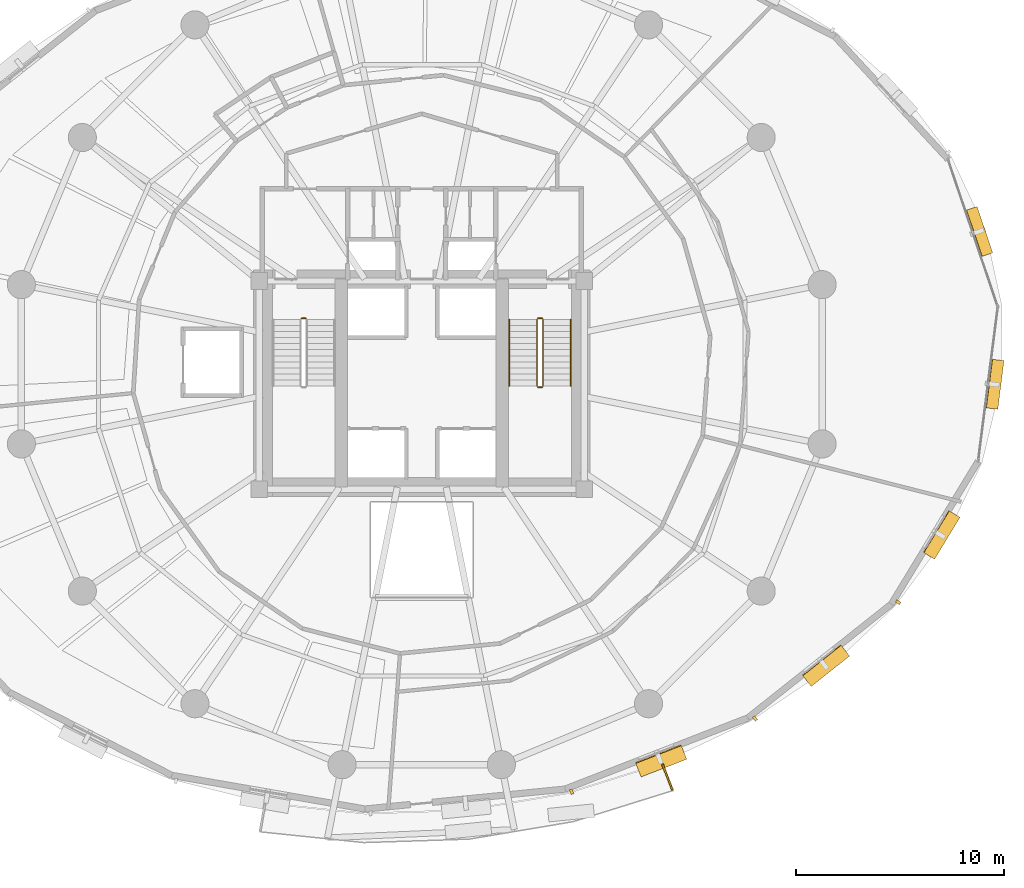
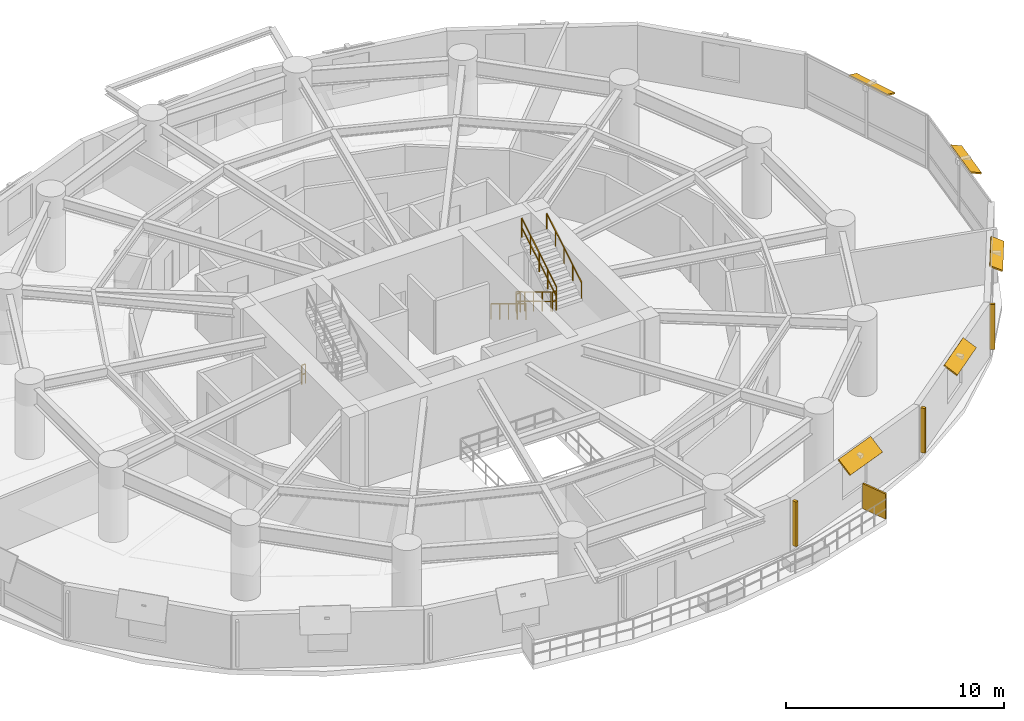
# One storey, part 16 of 17: 9 shading devices, 7 railings.
"""IFC4 building model written with IfcOpenShell, lengths in metres."""

import ifcopenshell
import ifcopenshell.guid

model = None  # the IFC model being written
_history = None  # IfcOwnerHistory: only IFC2X3 demands one
_inside = {}  # id of a spatial element -> (the spatial element, [elements in it])
_under = {}  # id of a project, library or spatial element -> (it, [spatial elements below it])
_declared = {}  # id of a project -> (the project, [libraries it declares])
_typed = {}  # id of a type object -> (the type object, [elements of that type])
_made_of = {}  # id of a material, layer set ... -> (it, [elements and type objects made of it])


def new_model(schema):
    """Start an empty IFC model of exactly this schema.

    Asked for "IFC4X3", IfcOpenShell would pick the latest addendum, in which some entities
    have other attributes; the version numbers below select the first issue.
    IFC2X3 requires an IfcOwnerHistory on every rooted entity: one is made here for all.
    """
    global model, _history
    if schema == "IFC4X3":
        model = ifcopenshell.file(schema_version=(4, 3, 0, 0))
    else:
        model = ifcopenshell.file(schema=schema)
    _inside.clear()
    _under.clear()
    _declared.clear()
    _typed.clear()
    _made_of.clear()
    _history = None
    if model.schema == "IFC2X3":
        org = make("IfcOrganization", Name="unknown")
        user = make(
            "IfcPersonAndOrganization",
            ThePerson=make("IfcPerson", FamilyName="unknown"),
            TheOrganization=org,
        )
        app = make(
            "IfcApplication",
            ApplicationDeveloper=org,
            Version="unknown",
            ApplicationFullName="unknown",
            ApplicationIdentifier="unknown",
        )
        _history = make(
            "IfcOwnerHistory",
            OwningUser=user,
            OwningApplication=app,
            ChangeAction="ADDED",
            CreationDate=0,
        )
    return model


def make(cls, **values):
    """One entity of the class cls with the attributes given. An attribute that is None is left unset."""
    return model.create_entity(
        cls, **{name: value for name, value in values.items() if value is not None}
    )


def rooted(cls, **values):
    """An entity with a GlobalId (a new one), such as an element, a storey or a relation."""
    return make(cls, GlobalId=ifcopenshell.guid.new(), OwnerHistory=_history, **values)


def si_unit(unit_type, name, prefix=None):
    """IfcSIUnit, for example si_unit("LENGTHUNIT", "METRE", prefix="MILLI")."""
    return make("IfcSIUnit", UnitType=unit_type, Prefix=prefix, Name=name)


def assignment(units):
    """IfcUnitAssignment: the units of a project."""
    return None if units is None else make("IfcUnitAssignment", Units=units)


def point(xyz):
    """IfcCartesianPoint."""
    return None if xyz is None else make("IfcCartesianPoint", Coordinates=xyz)


def direction(xyz):
    """IfcDirection."""
    return None if xyz is None else make("IfcDirection", DirectionRatios=xyz)


def frame(location, z_axis=None, x_axis=None):
    """IfcAxis2Placement3D, a coordinate frame: its origin and axes. An axis left out is left unset."""
    return make(
        "IfcAxis2Placement3D",
        Location=point(location),
        Axis=direction(z_axis),
        RefDirection=direction(x_axis),
    )


def frame_2d(location, x_axis=None):
    """IfcAxis2Placement2D, a coordinate frame in the plane: its origin and x axis."""
    return make(
        "IfcAxis2Placement2D", Location=point(location), RefDirection=direction(x_axis)
    )


def origin():
    """The frame at (0, 0, 0) with its axes left unset."""
    return frame((0.0, 0.0, 0.0))


def origin_2d():
    """The frame at (0, 0) in the plane with its x axis left unset."""
    return frame_2d((0.0, 0.0))


def place(relative_to, where):
    """IfcLocalPlacement: puts the frame where relative to a parent placement (None: the world)."""
    return make(
        "IfcLocalPlacement", PlacementRelTo=relative_to, RelativePlacement=where
    )


def context(
    kind, dimensions, precision=None, world=None, true_north=None, identifier=None
):
    """IfcGeometricRepresentationContext, for example the 3D "Model" context."""
    return make(
        "IfcGeometricRepresentationContext",
        ContextIdentifier=identifier,
        ContextType=kind,
        CoordinateSpaceDimension=dimensions,
        Precision=precision,
        WorldCoordinateSystem=world,
        TrueNorth=true_north,
    )


def subcontext(parent, identifier, kind, view, scale=None):
    """IfcGeometricRepresentationSubContext, for example "Body" below "Model"."""
    return make(
        "IfcGeometricRepresentationSubContext",
        ContextIdentifier=identifier,
        ContextType=kind,
        ParentContext=parent,
        TargetScale=scale,
        TargetView=view,
    )


def project(units=None, contexts=None):
    """IfcProject with its units and contexts."""
    return rooted(
        "IfcProject",
        Name="project",
        RepresentationContexts=contexts,
        UnitsInContext=assignment(units),
    )


def spatial(cls, under=None, at=None, **own):
    """A site, building, storey or space (cls), placed at a placement, below another one or the project."""
    s = rooted(cls, ObjectPlacement=at, **own)
    if under is not None:
        _under.setdefault(under.id(), (under, []))[1].append(s)
    return s


def profile(cls, at=None, kind="AREA", **sizes):
    """A parametric profile (cls). Its sizes go by their IFC names, for example OverallWidth=200.0."""
    return make(cls, ProfileType=kind, Position=at, **sizes)


def rectangle(**sizes):
    """IfcRectangleProfileDef."""
    return profile("IfcRectangleProfileDef", **sizes)


def extrude(swept, where, along, depth):
    """IfcExtrudedAreaSolid: the profile swept, set in the frame where, extruded along a direction by depth."""
    return make(
        "IfcExtrudedAreaSolid",
        SweptArea=swept,
        Position=where,
        ExtrudedDirection=direction(along),
        Depth=depth,
    )


def shape(context_of_items, identifier, shape_type, items):
    """IfcShapeRepresentation: the items that make up one representation, for example the "Body"."""
    return make(
        "IfcShapeRepresentation",
        ContextOfItems=context_of_items,
        RepresentationIdentifier=identifier,
        RepresentationType=shape_type,
        Items=items,
    )


def material(Name=None, Category=None):
    """IfcMaterial."""
    return make("IfcMaterial", Name=Name, Category=Category)


def layer(
    of_material, thickness, ventilated=None, Name=None, Category=None, Priority=None
):
    """IfcMaterialLayer: one layer of a wall or slab, of a material (None: an air gap)."""
    return make(
        "IfcMaterialLayer",
        Material=of_material,
        LayerThickness=thickness,
        IsVentilated=ventilated,
        Name=Name,
        Category=Category,
        Priority=Priority,
    )


def layer_set(layers, Name=None):
    """IfcMaterialLayerSet."""
    return make("IfcMaterialLayerSet", MaterialLayers=layers, LayerSetName=Name)


def made_of(thing, what):
    """Note that an element or type object is made of a material, layer set ...; save() writes the relation."""
    if what is not None:
        _made_of.setdefault(what.id(), (what, []))[1].append(thing)
    return thing


def type_object(cls, material=None, **own):
    """A type object (cls), such as IfcWallType, which elements share."""
    return made_of(rooted(cls, **own), material)


def element(
    cls,
    number,
    at=None,
    inside=None,
    cuts=None,
    type_object=None,
    material=None,
    context=None,
    identifier="Body",
    shape_type=None,
    held_by="IfcProductDefinitionShape",
    body=None,
    shapes=None,
    **own,
):
    """One element of the class cls, such as IfcWall. Its Tag is "e" and its number.

    at: its placement. inside: the storey or other place that contains it. cuts: it is an
    opening in that element (IfcRelVoidsElement). A single representation is given by context,
    identifier, shape_type and body (its items); several are given by shapes. held_by: the class
    of the entity that holds the representations. save() writes the other relations.
    """
    e = rooted(cls, Tag="e%d" % number, ObjectPlacement=at, **own)
    if body is not None:
        shapes = [shape(context, identifier, shape_type, body)]
    if shapes is not None:
        e.Representation = make(held_by, Representations=shapes)
    if inside is not None:
        _inside.setdefault(inside.id(), (inside, []))[1].append(e)
    if cuts is not None:
        rooted(
            "IfcRelVoidsElement", RelatingBuildingElement=cuts, RelatedOpeningElement=e
        )
    if type_object is not None:
        _typed.setdefault(type_object.id(), (type_object, []))[1].append(e)
    return made_of(e, material)


def aggregate(whole, parts):
    """IfcRelAggregates: a whole, such as a stair, and the parts it consists of."""
    return rooted("IfcRelAggregates", RelatingObject=whole, RelatedObjects=parts)


def save(model, path):
    """Write the relations noted so far, then the file.

    IfcRelAggregates (storeys below a building ...), IfcRelContainedInSpatialStructure (elements
    in a storey), IfcRelDefinesByType, IfcRelAssociatesMaterial and IfcRelDeclares: one each for
    every whole, place, type object, material and project.
    """
    for whole, parts in _under.values():
        aggregate(whole, parts)
    for where, things in _inside.values():
        rooted(
            "IfcRelContainedInSpatialStructure",
            RelatedElements=things,
            RelatingStructure=where,
        )
    for kind, things in _typed.values():
        rooted("IfcRelDefinesByType", RelatedObjects=things, RelatingType=kind)
    for what, things in _made_of.values():
        rooted("IfcRelAssociatesMaterial", RelatedObjects=things, RelatingMaterial=what)
    for by, libraries in _declared.values():
        rooted("IfcRelDeclares", RelatingContext=by, RelatedDefinitions=libraries)
    model.write(path)


model = new_model("IFC4")

# Units and contexts
model_context = context("Model", 3, precision=1e-05, world=origin(), true_north=direction((0.0, 1.0)))
body_context = subcontext(model_context, "Body", "Model", "MODEL_VIEW")
ifc_project = project(units=[si_unit("LENGTHUNIT", "METRE"), si_unit("AREAUNIT", "SQUARE_METRE"), si_unit("VOLUMEUNIT", "CUBIC_METRE"), si_unit("PLANEANGLEUNIT", "RADIAN"), si_unit("MASSUNIT", "GRAM", prefix="KILO"), si_unit("THERMODYNAMICTEMPERATUREUNIT", "KELVIN"), si_unit("POWERUNIT", "WATT")], contexts=[model_context])

# Site, building, storey
site_placement = place(None, origin())
site = spatial("IfcSite", under=ifc_project, at=site_placement, CompositionType="ELEMENT")
building_placement = place(site_placement, origin())
building = spatial("IfcBuilding", under=site, at=building_placement, Name="Ocrelia Relay Tower", CompositionType="ELEMENT")
storey_placement = place(building_placement, frame((0.0, 0.0, 55.199951171875)))
storey = spatial("IfcBuildingStorey", under=building, at=storey_placement, Name="L12", CompositionType="ELEMENT", Elevation=55.199951171875)

# Railings
ifc_material_1 = material(Name="Steel S355 balustrade", Category="steel")
railing_type_1 = type_object("IfcRailingType", Name="RL-STAIR-GUARD", PredefinedType="GUARDRAIL", material=ifc_material_1)
railing_1_placement = place(storey_placement, frame((28.22998046875, 28.199951171875, 0.0)))
element("IfcRailing", 1, at=railing_1_placement, inside=storey, type_object=railing_type_1, Name="L12 ST1 stair guard 4", PredefinedType="GUARDRAIL", context=body_context, shape_type="SweptSolid", body=[
    extrude(rectangle(XDim=0.048095703125, YDim=0.048095703125, at=origin_2d()), frame((0.0, 0.0, 1.076171875), z_axis=(1.0, 0.0, 0.0), x_axis=(0.0, 1.0, 0.0)), (0.0, 0.0, 1.0), 0.199951171875),
    extrude(rectangle(XDim=0.048095703125, YDim=0.048095703125, at=origin_2d()), frame((0.0, 0.0, 0.550048828125), z_axis=(1.0, 0.0, 0.0), x_axis=(0.0, 1.0, 0.0)), (0.0, 0.0, 1.0), 0.199951171875),
    extrude(rectangle(XDim=0.0419921875, YDim=0.0419921875, at=origin_2d()), origin(), (0.0, 0.0, 1.0), 1.052001953125),
    extrude(rectangle(XDim=0.0419921875, YDim=0.0419921875, at=origin_2d()), frame((0.199951171875, 0.0, 0.0)), (0.0, 0.0, 1.0), 1.052001953125),
])
railing_2_placement = place(storey_placement, frame((39.530029296875, 28.14990234375, 0.175048828125)))
element("IfcRailing", 2, at=railing_2_placement, inside=storey, type_object=railing_type_1, Name="L12 ST2 stair guard 1", PredefinedType="GUARDRAIL", context=body_context, shape_type="SweptSolid", body=[
    extrude(rectangle(XDim=0.048095703125, YDim=0.048095703125, at=origin_2d()), frame((0.0, 0.0, 1.076171875), z_axis=(0.0, -0.856177665481, 0.516681531633), x_axis=(1.0, 0.0, 0.0)), (0.0, 0.0, 1.0), 3.725830078125),
    extrude(rectangle(XDim=0.048095703125, YDim=0.048095703125, at=origin_2d()), frame((0.0, 0.0, 0.550048828125), z_axis=(0.0, -0.856177665481, 0.516681531633), x_axis=(1.0, 0.0, 0.0)), (0.0, 0.0, 1.0), 3.725830078125),
    extrude(rectangle(XDim=0.0419921875, YDim=0.0419921875, at=origin_2d()), origin(), (0.0, 0.0, 1.0), 1.052001953125),
    extrude(rectangle(XDim=0.0419921875, YDim=0.0419921875, at=origin_2d()), frame((0.0, -0.79736328125, 0.481201171875)), (0.0, 0.0, 1.0), 1.052001953125),
    extrude(rectangle(XDim=0.0419921875, YDim=0.0419921875, at=origin_2d()), frame((0.0, -1.594970703125, 0.96240234375)), (0.0, 0.0, 1.0), 1.052001953125),
    extrude(rectangle(XDim=0.0419921875, YDim=0.0419921875, at=origin_2d()), frame((0.0, -2.392578125, 1.44384765625)), (0.0, 0.0, 1.0), 1.052001953125),
    extrude(rectangle(XDim=0.0419921875, YDim=0.0419921875, at=origin_2d()), frame((0.0, -3.18994140625, 1.925048828125)), (0.0, 0.0, 1.0), 1.052001953125),
])
railing_3_placement = place(storey_placement, frame((39.580078125, 24.909912109375, 2.10009765625)))
element("IfcRailing", 3, at=railing_3_placement, inside=storey, type_object=railing_type_1, Name="L12 ST2 stair guard 2", PredefinedType="GUARDRAIL", context=body_context, shape_type="SweptSolid", body=[
    extrude(rectangle(XDim=0.048095703125, YDim=0.048095703125, at=origin_2d()), frame((0.0, 0.0, 1.076171875), z_axis=(1.0, 0.0, 0.0), x_axis=(0.0, 1.0, 0.0)), (0.0, 0.0, 1.0), 0.199951171875),
    extrude(rectangle(XDim=0.048095703125, YDim=0.048095703125, at=origin_2d()), frame((0.0, 0.0, 0.550048828125), z_axis=(1.0, 0.0, 0.0), x_axis=(0.0, 1.0, 0.0)), (0.0, 0.0, 1.0), 0.199951171875),
    extrude(rectangle(XDim=0.0419921875, YDim=0.0419921875, at=origin_2d()), origin(), (0.0, 0.0, 1.0), 1.052001953125),
    extrude(rectangle(XDim=0.0419921875, YDim=0.0419921875, at=origin_2d()), frame((0.199951171875, 0.0, 0.0)), (0.0, 0.0, 1.0), 1.052001953125),
])
railing_4_placement = place(storey_placement, frame((39.830078125, 24.9599609375, 2.275146484375)))
element("IfcRailing", 4, at=railing_4_placement, inside=storey, type_object=railing_type_1, Name="L12 ST2 stair guard 3", PredefinedType="GUARDRAIL", context=body_context, shape_type="SweptSolid", body=[
    extrude(rectangle(XDim=0.048095703125, YDim=0.048095703125, at=origin_2d()), frame((0.0, 0.0, 1.076171875), z_axis=(0.0, 0.856206652436, 0.516633495163), x_axis=(-1.0, 0.0, 0.0)), (0.0, 0.0, 1.0), 3.7255859375),
    extrude(rectangle(XDim=0.048095703125, YDim=0.048095703125, at=origin_2d()), frame((0.0, 0.0, 0.550048828125), z_axis=(0.0, 0.856206652436, 0.516633495163), x_axis=(-1.0, 0.0, 0.0)), (0.0, 0.0, 1.0), 3.7255859375),
    extrude(rectangle(XDim=0.0419921875, YDim=0.0419921875, at=origin_2d()), origin(), (0.0, 0.0, 1.0), 1.052001953125),
    extrude(rectangle(XDim=0.0419921875, YDim=0.0419921875, at=origin_2d()), frame((0.0, 0.79736328125, 0.481201171875)), (0.0, 0.0, 1.0), 1.052001953125),
    extrude(rectangle(XDim=0.0419921875, YDim=0.0419921875, at=origin_2d()), frame((0.0, 1.594970703125, 0.96240234375)), (0.0, 0.0, 1.0), 1.052001953125),
    extrude(rectangle(XDim=0.0419921875, YDim=0.0419921875, at=origin_2d()), frame((0.0, 2.392578125, 1.443603515625)), (0.0, 0.0, 1.0), 1.052001953125),
    extrude(rectangle(XDim=0.0419921875, YDim=0.0419921875, at=origin_2d()), frame((0.0, 3.18994140625, 1.9248046875)), (0.0, 0.0, 1.0), 1.052001953125),
])
railing_5_placement = place(storey_placement, frame((39.580078125, 28.199951171875, 0.0)))
element("IfcRailing", 5, at=railing_5_placement, inside=storey, type_object=railing_type_1, Name="L12 ST2 stair guard 4", PredefinedType="GUARDRAIL", context=body_context, shape_type="SweptSolid", body=[
    extrude(rectangle(XDim=0.048095703125, YDim=0.048095703125, at=origin_2d()), frame((0.0, 0.0, 1.076171875), z_axis=(1.0, 0.0, 0.0), x_axis=(0.0, 1.0, 0.0)), (0.0, 0.0, 1.0), 0.199951171875),
    extrude(rectangle(XDim=0.048095703125, YDim=0.048095703125, at=origin_2d()), frame((0.0, 0.0, 0.550048828125), z_axis=(1.0, 0.0, 0.0), x_axis=(0.0, 1.0, 0.0)), (0.0, 0.0, 1.0), 0.199951171875),
    extrude(rectangle(XDim=0.0419921875, YDim=0.0419921875, at=origin_2d()), origin(), (0.0, 0.0, 1.0), 1.052001953125),
    extrude(rectangle(XDim=0.0419921875, YDim=0.0419921875, at=origin_2d()), frame((0.199951171875, 0.0, 0.0)), (0.0, 0.0, 1.0), 1.052001953125),
])
ifc_material_2 = material(Name="Steel S355 tubular handrail", Category="steel")
railing_type_2 = type_object("IfcRailingType", Name="RL-STAIR-HAND", PredefinedType="HANDRAIL", material=ifc_material_2)
railing_6_placement = place(storey_placement, frame((38.2099609375, 28.14990234375, 0.175048828125)))
element("IfcRailing", 6, at=railing_6_placement, inside=storey, type_object=railing_type_2, Name="L12 ST2 stair handrail 1", PredefinedType="HANDRAIL", context=body_context, shape_type="SweptSolid", body=[
    extrude(rectangle(XDim=0.048095703125, YDim=0.048095703125, at=origin_2d()), frame((0.0, 0.0, 0.8759765625), z_axis=(0.0, -0.856177665481, 0.516681531633), x_axis=(1.0, 0.0, 0.0)), (0.0, 0.0, 1.0), 3.725830078125),
    extrude(rectangle(XDim=0.0419921875, YDim=0.0419921875, at=origin_2d()), origin(), (0.0, 0.0, 1.0), 0.851806640625),
    extrude(rectangle(XDim=0.0419921875, YDim=0.0419921875, at=origin_2d()), frame((0.0, -0.79736328125, 0.481201171875)), (0.0, 0.0, 1.0), 0.851806640625),
    extrude(rectangle(XDim=0.0419921875, YDim=0.0419921875, at=origin_2d()), frame((0.0, -1.594970703125, 0.96240234375)), (0.0, 0.0, 1.0), 0.851806640625),
    extrude(rectangle(XDim=0.0419921875, YDim=0.0419921875, at=origin_2d()), frame((0.0, -2.392578125, 1.44384765625)), (0.0, 0.0, 1.0), 0.851806640625),
    extrude(rectangle(XDim=0.0419921875, YDim=0.0419921875, at=origin_2d()), frame((0.0, -3.18994140625, 1.925048828125)), (0.0, 0.0, 1.0), 0.851806640625),
])
railing_7_placement = place(storey_placement, frame((41.14990234375, 24.9599609375, 2.275146484375)))
element("IfcRailing", 7, at=railing_7_placement, inside=storey, type_object=railing_type_2, Name="L12 ST2 stair handrail 2", PredefinedType="HANDRAIL", context=body_context, shape_type="SweptSolid", body=[
    extrude(rectangle(XDim=0.048095703125, YDim=0.048095703125, at=origin_2d()), frame((0.0, 0.0, 0.8759765625), z_axis=(0.0, 0.856206652436, 0.516633495163), x_axis=(-1.0, 0.0, 0.0)), (0.0, 0.0, 1.0), 3.7255859375),
    extrude(rectangle(XDim=0.0419921875, YDim=0.0419921875, at=origin_2d()), origin(), (0.0, 0.0, 1.0), 0.851806640625),
    extrude(rectangle(XDim=0.0419921875, YDim=0.0419921875, at=origin_2d()), frame((0.0, 0.79736328125, 0.481201171875)), (0.0, 0.0, 1.0), 0.851806640625),
    extrude(rectangle(XDim=0.0419921875, YDim=0.0419921875, at=origin_2d()), frame((0.0, 1.594970703125, 0.96240234375)), (0.0, 0.0, 1.0), 0.851806640625),
    extrude(rectangle(XDim=0.0419921875, YDim=0.0419921875, at=origin_2d()), frame((0.0, 2.392578125, 1.443603515625)), (0.0, 0.0, 1.0), 0.851806640625),
    extrude(rectangle(XDim=0.0419921875, YDim=0.0419921875, at=origin_2d()), frame((0.0, 3.18994140625, 1.9248046875)), (0.0, 0.0, 1.0), 0.851806640625),
])

# Shading devices
ifc_material_3 = material(Name="Perforated oxide terracotta solar screen", Category="masonry")
ifc_layer_1 = layer(ifc_material_3, 0.090087890625, Name="Perforated oxide terracotta solar screen")
ifc_layer_set_1 = layer_set([ifc_layer_1], Name="Perforated oxide terracotta solar screen")
shading_device_type_1 = type_object("IfcShadingDeviceType", Name="SH-BALC-SCREEN", PredefinedType="USERDEFINED", material=ifc_layer_set_1)
shading_device_1_placement = place(storey_placement, frame((45.800537109375, 6.170654296875, 0.0), z_axis=(0.0, 0.0, 1.0), x_axis=(0.364277580789, -0.931290418793, 0.0)))
element("IfcShadingDevice", 8, at=shading_device_1_placement, inside=storey, type_object=shading_device_type_1, Name="L12 Balcony Perforated Terracotta Screen B2-2", ObjectType="SCREEN", PredefinedType="USERDEFINED", context=body_context, shape_type="SweptSolid", body=[
    extrude(rectangle(XDim=1.340087890625, YDim=0.090087890625, at=origin_2d()), origin(), (0.0, 0.0, 1.0), 1.39990234375),
])
ifc_material_4 = material(Name="Extruded oxide terracotta vertical baguette", Category="masonry")
shading_device_type_2 = type_object("IfcShadingDeviceType", Name="SH-TERR-BAGUETTE", PredefinedType="USERDEFINED", material=ifc_material_4)
for number, where, z_axis, x_axis, name in (
    (9, (41.194091796875, 5.4794921875, 0.25), (0.0, 0.0, 1.0), (0.93180667955, 0.362954972338, 0.0), "L12 Oxide Terracotta Vertical Baguette 15"),
    (10, (49.994384765625, 8.994384765625, 0.25), (0.0, 0.0, 1.0), (0.783290661146, 0.621655644358, 0.0), "L12 Oxide Terracotta Vertical Baguette 16"),
    (11, (56.871826171875, 14.576904296875, 0.25), (0.0, 0.0, 1.0), (0.51949918611, 0.854470944872, 0.0), "L12 Oxide Terracotta Vertical Baguette 17"),
):
    element("IfcShadingDevice", number, at=place(storey_placement, frame(where, z_axis=z_axis, x_axis=x_axis)), inside=storey, type_object=shading_device_type_2, Name=name, ObjectType="BAGUETTE", PredefinedType="USERDEFINED", context=body_context, shape_type="SweptSolid", body=[
        extrude(rectangle(XDim=0.139892578125, YDim=0.239990234375, at=origin_2d()), origin(), (0.0, 0.0, 1.0), 2.5),
    ])
ifc_material_5 = material(Name="Extruded oxide terracotta fin", Category="masonry")
ifc_layer_2 = layer(ifc_material_5, 0.080078125, Name="Extruded oxide terracotta fin")
ifc_layer_set_2 = layer_set([ifc_layer_2], Name="Extruded oxide terracotta fin")
shading_device_type_3 = type_object("IfcShadingDeviceType", Name="SH-VISOR-FIN-MED", PredefinedType="USERDEFINED", material=ifc_layer_set_2)
shading_device_2_placement = place(storey_placement, frame((45.479736328125, 6.9853515625, 2.80908203125), z_axis=(0.230623262169, -0.592074258589, 0.772179372467), x_axis=(0.93180667955, 0.362954972338, 0.0)))
element("IfcShadingDevice", 12, at=shading_device_2_placement, inside=storey, type_object=shading_device_type_3, Name="L12 Canted Terracotta Sun-Visor Fin 15", ObjectType="FIN", PredefinedType="USERDEFINED", context=body_context, shape_type="SweptSolid", body=[
    extrude(rectangle(XDim=2.35009765625, YDim=0.906982421875, at=origin_2d()), origin(), (0.0, 0.0, 1.0), 0.080078125),
])
ifc_layer_3 = layer(ifc_material_5, 0.080078125, Name="Extruded oxide terracotta fin")
ifc_layer_set_3 = layer_set([ifc_layer_3], Name="Extruded oxide terracotta fin")
shading_device_type_4 = type_object("IfcShadingDeviceType", Name="SH-VISOR-FIN-SHAL", PredefinedType="USERDEFINED", material=ifc_layer_set_3)
shading_device_3_placement = place(storey_placement, frame((60.76220703125, 32.371337890625, 2.802001953125), z_axis=(0.300468160798, 0.101469784254, 0.948379020872), x_axis=(-0.319953522402, 0.947433239602, 0.0)))
element("IfcShadingDevice", 13, at=shading_device_3_placement, inside=storey, type_object=shading_device_type_4, Name="L12 Canted Terracotta Sun-Visor Fin 01", ObjectType="FIN", PredefinedType="USERDEFINED", context=body_context, shape_type="SweptSolid", body=[
    extrude(rectangle(XDim=2.35009765625, YDim=0.55810546875, at=origin_2d()), origin(), (0.0, 0.0, 1.0), 0.080078125),
])
shading_device_4_placement = place(storey_placement, frame((53.393310546875, 11.551513671875, 2.8056640625), z_axis=(0.316635229979, -0.3989627069, 0.860564285593), x_axis=(0.783290661146, 0.621655644358, 0.0)))
element("IfcShadingDevice", 14, at=shading_device_4_placement, inside=storey, type_object=shading_device_type_4, Name="L12 Canted Terracotta Sun-Visor Fin 16", ObjectType="FIN", PredefinedType="USERDEFINED", context=body_context, shape_type="SweptSolid", body=[
    extrude(rectangle(XDim=2.35009765625, YDim=0.760009765625, at=origin_2d()), origin(), (0.0, 0.0, 1.0), 0.080078125),
])
shading_device_5_placement = place(storey_placement, frame((58.947021484375, 17.81982421875, 2.8037109375), z_axis=(0.354207615949, -0.215350292838, 0.910033634641), x_axis=(0.51949918611, 0.854470944872, 0.0)))
element("IfcShadingDevice", 15, at=shading_device_5_placement, inside=storey, type_object=shading_device_type_4, Name="L12 Canted Terracotta Sun-Visor Fin 17", ObjectType="FIN", PredefinedType="USERDEFINED", context=body_context, shape_type="SweptSolid", body=[
    extrude(rectangle(XDim=2.35009765625, YDim=0.657958984375, at=origin_2d()), origin(), (0.0, 0.0, 1.0), 0.080078125),
])
shading_device_6_placement = place(storey_placement, frame((61.50244140625, 25.043701171875, 2.802490234375), z_axis=(0.349182877118, -0.044484264585, 0.93599811353), x_axis=(0.126373950742, 0.991982673525, 0.0)))
element("IfcShadingDevice", 16, at=shading_device_6_placement, inside=storey, type_object=shading_device_type_4, Name="L12 Canted Terracotta Sun-Visor Fin 18", ObjectType="FIN", PredefinedType="USERDEFINED", context=body_context, shape_type="SweptSolid", body=[
    extrude(rectangle(XDim=2.35009765625, YDim=0.593994140625, at=origin_2d()), origin(), (0.0, 0.0, 1.0), 0.080078125),
])

save(model, "model.ifc")
